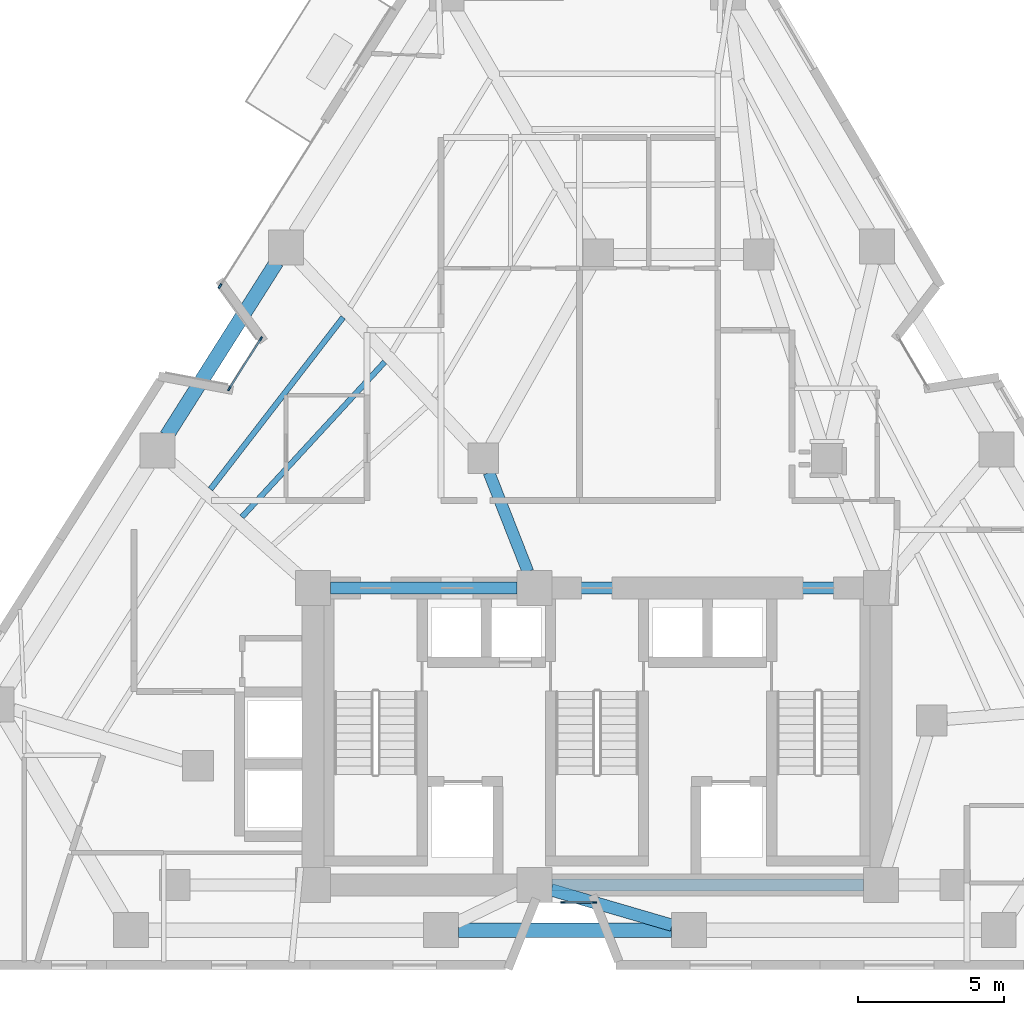
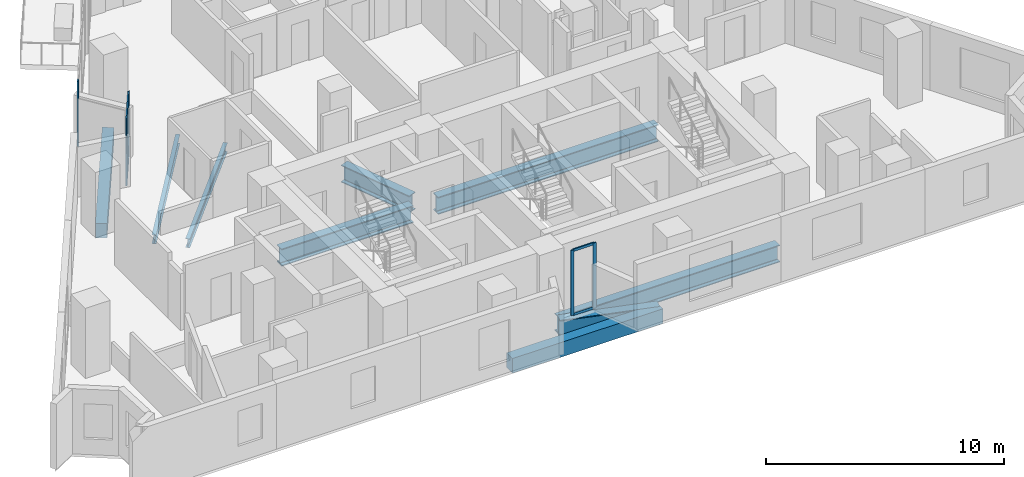
# One storey, part 2 of 11: 9 beams, 9 members, 3 elements without a shape of their own.
"""IFC4 building model written with IfcOpenShell, lengths in metres."""

from ifc_helpers import new_model, si_unit, direction, frame, origin, origin_2d, place, context, subcontext, project, spatial, rectangle, i_section, extrude, material, layer, layer_set, material_profile, profile_set, type_object, element, aggregate, save


model = new_model("IFC4")

# Units and contexts
model_context = context("Model", 3, precision=1e-05, world=origin(), true_north=direction((0.0, 1.0)))
body_context = subcontext(model_context, "Body", "Model", "MODEL_VIEW")
ifc_project = project(units=[si_unit("LENGTHUNIT", "METRE"), si_unit("AREAUNIT", "SQUARE_METRE"), si_unit("VOLUMEUNIT", "CUBIC_METRE"), si_unit("PLANEANGLEUNIT", "RADIAN"), si_unit("MASSUNIT", "GRAM", prefix="KILO")], contexts=[model_context])

# Site, building, storey
site_placement = place(None, origin())
site = spatial("IfcSite", under=ifc_project, at=site_placement, CompositionType="ELEMENT")
building_placement = place(site_placement, origin())
building = spatial("IfcBuilding", under=site, at=building_placement, Name="Almagre Mirador Tower", CompositionType="ELEMENT")
storey_placement = place(building_placement, frame((0.0, 0.0, 128.39990234375)))
storey = spatial("IfcBuildingStorey", under=building, at=storey_placement, Name="L32", CompositionType="ELEMENT", Elevation=128.39990234375)

# Beams
ifc_material_1 = material(Name="Steel ASTM A992 Grade 50", Category="steel")
ifc_material_profile_1 = material_profile(ifc_material_1, i_section(OverallWidth=0.19091796875, OverallDepth=0.4599609375, WebThickness=0.010009765625, FlangeThickness=0.01611328125, FilletRadius=0.01611328125, at=origin_2d()), Name="W18X55")
ifc_profile_set_1 = profile_set([ifc_material_profile_1], Name="Steel ASTM A992 Grade 50")
beam_type_1 = type_object("IfcBeamType", Name="BM-JST-W18X55", PredefinedType="JOIST", material=ifc_profile_set_1)
beam_1_placement = place(storey_placement, frame((28.585205078125, 24.04150390625, -0.47998046875), z_axis=(-0.611154781885, -0.791511107047, 0.0), x_axis=(0.791511107047, -0.611154781885, 0.0)))
element("IfcBeam", 1, at=beam_1_placement, inside=storey, type_object=beam_type_1, Name="L32 secondary floor joist PC10-PC11.1", PredefinedType="JOIST", context=body_context, shape_type="SweptSolid", body=[
    extrude(i_section(OverallWidth=0.19091796875, OverallDepth=0.4599609375, WebThickness=0.010009765625, FlangeThickness=0.01611328125, FilletRadius=0.01611328125, at=origin_2d()), origin(), (0.0, 0.0, 1.0), 7.45458984375),
])
beam_2_placement = place(storey_placement, frame((30.013671875, 22.511474609375, -0.47998046875), z_axis=(-0.677434935898, -0.735582699378, 0.0), x_axis=(0.735582699378, -0.677434935898, 0.0)))
element("IfcBeam", 2, at=beam_2_placement, inside=storey, type_object=beam_type_1, Name="L32 secondary floor joist PC10-PC11.2", PredefinedType="JOIST", context=body_context, shape_type="SweptSolid", body=[
    extrude(i_section(OverallWidth=0.19091796875, OverallDepth=0.4599609375, WebThickness=0.010009765625, FlangeThickness=0.01611328125, FilletRadius=0.01611328125, at=origin_2d()), origin(), (0.0, 0.0, 1.0), 7.238525390625),
])
ifc_material_2 = material(Name="Precast concrete C50/60", Category="concrete")
ifc_material_profile_2 = material_profile(ifc_material_2, rectangle(XDim=0.5, YDim=0.75, at=origin_2d()), Name="RC500X750")
ifc_profile_set_2 = profile_set([ifc_material_profile_2], Name="Precast concrete C50/60")
beam_type_2 = type_object("IfcBeamType", Name="BM-SPN-RC500X750", PredefinedType="SPANDREL", material=ifc_profile_set_2)
beam_3_placement = place(storey_placement, frame((32.5439453125, 3.0, -0.625), z_axis=(1.0, 0.0, 0.0), x_axis=(0.0, 1.0, 0.0)))
element("IfcBeam", 3, at=beam_3_placement, inside=storey, type_object=beam_type_2, Name="L32 perimeter spandrel beam PC02-PC03", PredefinedType="SPANDREL", context=body_context, shape_type="SweptSolid", body=[
    extrude(rectangle(XDim=0.5, YDim=0.75, at=origin_2d()), origin(), (0.0, 0.0, 1.0), 7.31201171875),
])
beam_4_placement = place(storey_placement, frame((26.301025390625, 25.93896484375, -0.625), z_axis=(-0.534879207885, -0.844928537198, 0.0), x_axis=(0.844928537198, -0.534879207885, 0.0)))
element("IfcBeam", 4, at=beam_4_placement, inside=storey, type_object=beam_type_2, Name="L32 perimeter spandrel beam PC10-PC11", PredefinedType="SPANDREL", context=body_context, shape_type="SweptSolid", body=[
    extrude(rectangle(XDim=0.5, YDim=0.75, at=origin_2d()), origin(), (0.0, 0.0, 1.0), 7.05615234375),
])
ifc_material_3 = material(Name="Steel ASTM A992 Grade 50", Category="steel")
ifc_material_profile_3 = material_profile(ifc_material_3, i_section(OverallWidth=0.404052734375, OverallDepth=0.884033203125, WebThickness=0.0244140625, FlangeThickness=0.0439453125, FilletRadius=0.02490234375, at=origin_2d()), Name="W33X291")
ifc_profile_set_3 = profile_set([ifc_material_profile_3], Name="Steel ASTM A992 Grade 50")
beam_type_3 = type_object("IfcBeamType", Name="BM-STL-W33X291", PredefinedType="BEAM", material=ifc_profile_set_3)
beam_5_placement = place(storey_placement, frame((35.75, 4.550048828125, -0.69189453125), z_axis=(1.0, 0.0, 0.0), x_axis=(0.0, 1.0, 0.0)))
element("IfcBeam", 5, at=beam_5_placement, inside=storey, type_object=beam_type_3, Name="L32 core tie girder CC2-CC3", PredefinedType="BEAM", context=body_context, shape_type="SweptSolid", body=[
    extrude(i_section(OverallWidth=0.404052734375, OverallDepth=0.884033203125, WebThickness=0.0244140625, FlangeThickness=0.0439453125, FilletRadius=0.02490234375, at=origin_2d()), origin(), (0.0, 0.0, 1.0), 10.699951171875),
])
beam_6_placement = place(storey_placement, frame((28.14990234375, 14.75, -0.69189453125), z_axis=(1.0, 0.0, 0.0), x_axis=(0.0, 1.0, 0.0)))
element("IfcBeam", 6, at=beam_6_placement, inside=storey, type_object=beam_type_3, Name="L32 core tie girder CC4-CC5", PredefinedType="BEAM", context=body_context, shape_type="SweptSolid", body=[
    extrude(i_section(OverallWidth=0.404052734375, OverallDepth=0.884033203125, WebThickness=0.0244140625, FlangeThickness=0.0439453125, FilletRadius=0.02490234375, at=origin_2d()), origin(), (0.0, 0.0, 1.0), 6.400146484375),
])
beam_7_placement = place(storey_placement, frame((35.75, 14.75, -0.69189453125), z_axis=(1.0, 0.0, 0.0), x_axis=(0.0, 1.0, 0.0)))
element("IfcBeam", 7, at=beam_7_placement, inside=storey, type_object=beam_type_3, Name="L32 core tie girder CC5-CC6", PredefinedType="BEAM", context=body_context, shape_type="SweptSolid", body=[
    extrude(i_section(OverallWidth=0.404052734375, OverallDepth=0.884033203125, WebThickness=0.0244140625, FlangeThickness=0.0439453125, FilletRadius=0.02490234375, at=origin_2d()), origin(), (0.0, 0.0, 1.0), 10.699951171875),
])
beam_8_placement = place(storey_placement, frame((33.592041015625, 18.71142578125, -0.69189453125), z_axis=(0.365997304164, -0.930615910752, 0.0), x_axis=(0.930615910752, 0.365997304164, 0.0)))
element("IfcBeam", 8, at=beam_8_placement, inside=storey, type_object=beam_type_3, Name="L32 core tie girder MC8-CC5", PredefinedType="BEAM", context=body_context, shape_type="SweptSolid", body=[
    extrude(i_section(OverallWidth=0.404052734375, OverallDepth=0.884033203125, WebThickness=0.0244140625, FlangeThickness=0.0439453125, FilletRadius=0.02490234375, at=origin_2d()), origin(), (0.0, 0.0, 1.0), 3.65673828125),
])
ifc_material_4 = material(Name="Steel ASTM A992 Grade 50", Category="steel")
ifc_material_profile_4 = material_profile(ifc_material_4, i_section(OverallWidth=0.423095703125, OverallDepth=0.947998046875, WebThickness=0.02392578125, FlangeThickness=0.042724609375, FilletRadius=0.028076171875, at=origin_2d()), Name="W36X302")
ifc_profile_set_4 = profile_set([ifc_material_profile_4], Name="Steel ASTM A992 Grade 50")
beam_type_4 = type_object("IfcBeamType", Name="BM-STL-W36X302", PredefinedType="BEAM", material=ifc_profile_set_4)
beam_9_placement = place(storey_placement, frame((39.880126953125, 3.168212890625, -0.723876953125), z_axis=(-0.959878605081, 0.280415875991, 0.0), x_axis=(-0.280415875991, -0.959878605081, 0.0)))
element("IfcBeam", 9, at=beam_9_placement, inside=storey, type_object=beam_type_4, Name="L32 radial floor girder PC03-CC2", PredefinedType="BEAM", context=body_context, shape_type="SweptSolid", body=[
    extrude(i_section(OverallWidth=0.423095703125, OverallDepth=0.947998046875, WebThickness=0.02392578125, FlangeThickness=0.042724609375, FilletRadius=0.028076171875, at=origin_2d()), origin(), (0.0, 0.0, 1.0), 4.327880859375),
])

# Curtain wall, members
ifc_material_5 = material(Name="Black anodized aluminium", Category="aluminium")
ifc_layer_1 = layer(ifc_material_5, 0.169921875)
ifc_layer_set_1 = layer_set([ifc_layer_1], Name="Black anodized aluminium")
curtain_wall_type_1 = type_object("IfcCurtainWallType", Name="CW-CRS-SYS", PredefinedType="NOTDEFINED", material=ifc_layer_set_1)
curtain_wall_1_placement = place(storey_placement, origin())
curtain_wall_1 = element("IfcCurtainWall", 10, at=curtain_wall_1_placement, inside=storey, type_object=curtain_wall_type_1, Name="L32 vertical crease curtain wall 01", PredefinedType="NOTDEFINED")
ifc_material_6 = material(Name="Black anodized aluminium", Category="aluminium")
ifc_material_profile_5 = material_profile(ifc_material_6, rectangle(XDim=0.06005859375, YDim=0.14990234375, at=origin_2d()), Name="CWM60X150")
ifc_profile_set_5 = profile_set([ifc_material_profile_5], Name="Black anodized aluminium")
member_type_1 = type_object("IfcMemberType", Name="MBR-CWM60X150", PredefinedType="MULLION", material=ifc_profile_set_5)
member_1_placement = place(storey_placement, frame((24.674072265625, 21.59228515625, 0.0), z_axis=(0.0, 0.0, 1.0), x_axis=(-0.844919983827, 0.534892719084, 0.0)))
member_1 = element("IfcMember", 11, at=member_1_placement, type_object=member_type_1, Name="CW-4 mullion 1", PredefinedType="MULLION", context=body_context, shape_type="SweptSolid", body=[
    extrude(rectangle(XDim=0.06005859375, YDim=0.14990234375, at=origin_2d()), origin(), (0.0, 0.0, 1.0), 3.35009765625),
])
member_2_placement = place(storey_placement, frame((25.760009765625, 23.3076171875, 0.0), z_axis=(0.0, 0.0, 1.0), x_axis=(-0.844919983827, 0.534892719084, 0.0)))
member_2 = element("IfcMember", 12, at=member_2_placement, type_object=member_type_1, Name="CW-4 mullion 2", PredefinedType="MULLION", context=body_context, shape_type="SweptSolid", body=[
    extrude(rectangle(XDim=0.06005859375, YDim=0.14990234375, at=origin_2d()), origin(), (0.0, 0.0, 1.0), 3.35009765625),
])

curtain_wall_2_placement = place(storey_placement, origin())
curtain_wall_2 = element("IfcCurtainWall", 13, at=curtain_wall_2_placement, inside=storey, type_object=curtain_wall_type_1, Name="L32 vertical crease curtain wall 04", PredefinedType="NOTDEFINED")
member_3_placement = place(storey_placement, frame((37.215087890625, 3.949951171875, 0.0), z_axis=(0.0, 0.0, 1.0), x_axis=(0.0, -1.0, 0.0)))
member_3 = element("IfcMember", 14, at=member_3_placement, type_object=member_type_1, Name="CW-4 mullion 1", PredefinedType="MULLION", context=body_context, shape_type="SweptSolid", body=[
    extrude(rectangle(XDim=0.06005859375, YDim=0.14990234375, at=origin_2d()), origin(), (0.0, 0.0, 1.0), 3.35009765625),
])
member_4_placement = place(storey_placement, frame((36.139892578125, 3.949951171875, 0.0), z_axis=(0.0, 0.0, 1.0), x_axis=(0.0, -1.0, 0.0)))
member_4 = element("IfcMember", 15, at=member_4_placement, type_object=member_type_1, Name="CW-4 mullion 2", PredefinedType="MULLION", context=body_context, shape_type="SweptSolid", body=[
    extrude(rectangle(XDim=0.06005859375, YDim=0.14990234375, at=origin_2d()), origin(), (0.0, 0.0, 1.0), 3.35009765625),
])

# Curtain wall, member
ifc_material_7 = material(Name="Black anodized aluminium", Category="aluminium")
ifc_layer_2 = layer(ifc_material_7, 0.199951171875)
ifc_layer_set_2 = layer_set([ifc_layer_2], Name="Black anodized aluminium")
curtain_wall_type_2 = type_object("IfcCurtainWallType", Name="CW-RES-H-SYS", PredefinedType="NOTDEFINED", material=ifc_layer_set_2)
curtain_wall_3_placement = place(storey_placement, origin())
curtain_wall_3 = element("IfcCurtainWall", 16, at=curtain_wall_3_placement, inside=storey, type_object=curtain_wall_type_2, Name="L32 curtain wall run 02", PredefinedType="NOTDEFINED")
ifc_material_8 = material(Name="Black anodized aluminium", Category="aluminium")
ifc_material_profile_6 = material_profile(ifc_material_8, rectangle(XDim=0.06494140625, YDim=0.179931640625, at=origin_2d()), Name="CWM65X180")
ifc_profile_set_6 = profile_set([ifc_material_profile_6], Name="Black anodized aluminium")
member_type_2 = type_object("IfcMemberType", Name="MBR-CWM65X180", PredefinedType="MULLION", material=ifc_profile_set_6)
member_5_placement = place(storey_placement, frame((24.3583984375, 25.1142578125, 0.0), z_axis=(0.0, 0.0, 1.0), x_axis=(-0.844920075121, 0.534892574877, 0.0)))
member_5 = element("IfcMember", 17, at=member_5_placement, type_object=member_type_2, Name="CW-3 mullion 1", PredefinedType="MULLION", context=body_context, shape_type="SweptSolid", body=[
    extrude(rectangle(XDim=0.06494140625, YDim=0.179931640625, at=origin_2d()), origin(), (0.0, 0.0, 1.0), 3.35009765625),
])
aggregate(curtain_wall_3, [member_5])

# Member
ifc_material_9 = material(Name="Black anodized aluminium", Category="aluminium")
ifc_material_profile_7 = material_profile(ifc_material_9, rectangle(XDim=0.06005859375, YDim=0.1298828125, at=origin_2d()), Name="CWT60X130")
ifc_profile_set_7 = profile_set([ifc_material_profile_7], Name="Black anodized aluminium")
member_type_3 = type_object("IfcMemberType", Name="MBR-CWT60X130", PredefinedType="USERDEFINED", material=ifc_profile_set_7)
member_6_placement = place(storey_placement, frame((24.690185546875, 21.61767578125, 0.030029296875), z_axis=(0.534869273761, 0.844934825881, 0.0), x_axis=(-0.844934825881, 0.534869273761, 0.0)))
member_6 = element("IfcMember", 18, at=member_6_placement, type_object=member_type_3, Name="CW-4 transom 1.1", ObjectType="TRANSOM", PredefinedType="USERDEFINED", context=body_context, shape_type="SweptSolid", body=[
    extrude(rectangle(XDim=0.06005859375, YDim=0.1298828125, at=origin_2d()), origin(), (0.0, 0.0, 1.0), 1.969970703125),
])

member_7_placement = place(storey_placement, frame((24.690185546875, 21.61767578125, 3.320068359375), z_axis=(0.534869273761, 0.844934825881, 0.0), x_axis=(-0.844934825881, 0.534869273761, 0.0)))
member_7 = element("IfcMember", 19, at=member_7_placement, type_object=member_type_3, Name="CW-4 transom 1.2", ObjectType="TRANSOM", PredefinedType="USERDEFINED", context=body_context, shape_type="SweptSolid", body=[
    extrude(rectangle(XDim=0.06005859375, YDim=0.1298828125, at=origin_2d()), origin(), (0.0, 0.0, 1.0), 1.969970703125),
])

aggregate(curtain_wall_1, [member_1, member_2, member_6, member_7])

member_8_placement = place(storey_placement, frame((37.18505859375, 3.949951171875, 0.030029296875), z_axis=(-1.0, 0.0, 0.0), x_axis=(0.0, -1.0, 0.0)))
member_8 = element("IfcMember", 20, at=member_8_placement, type_object=member_type_3, Name="CW-4 transom 1.1", ObjectType="TRANSOM", PredefinedType="USERDEFINED", context=body_context, shape_type="SweptSolid", body=[
    extrude(rectangle(XDim=0.06005859375, YDim=0.1298828125, at=origin_2d()), origin(), (0.0, 0.0, 1.0), 1.01513671875),
])

member_9_placement = place(storey_placement, frame((37.18505859375, 3.949951171875, 3.320068359375), z_axis=(-1.0, 0.0, 0.0), x_axis=(0.0, -1.0, 0.0)))
member_9 = element("IfcMember", 21, at=member_9_placement, type_object=member_type_3, Name="CW-4 transom 1.2", ObjectType="TRANSOM", PredefinedType="USERDEFINED", context=body_context, shape_type="SweptSolid", body=[
    extrude(rectangle(XDim=0.06005859375, YDim=0.1298828125, at=origin_2d()), origin(), (0.0, 0.0, 1.0), 1.01513671875),
])

aggregate(curtain_wall_2, [member_3, member_4, member_8, member_9])

save(model, "model.ifc")
